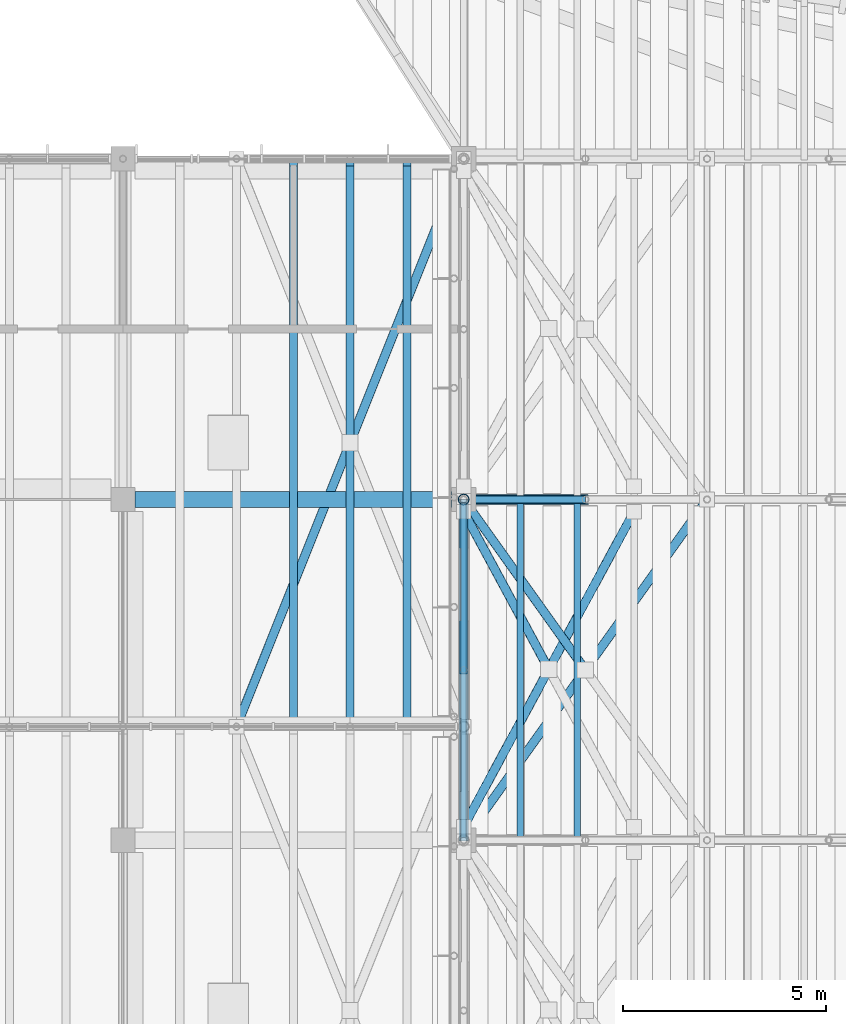
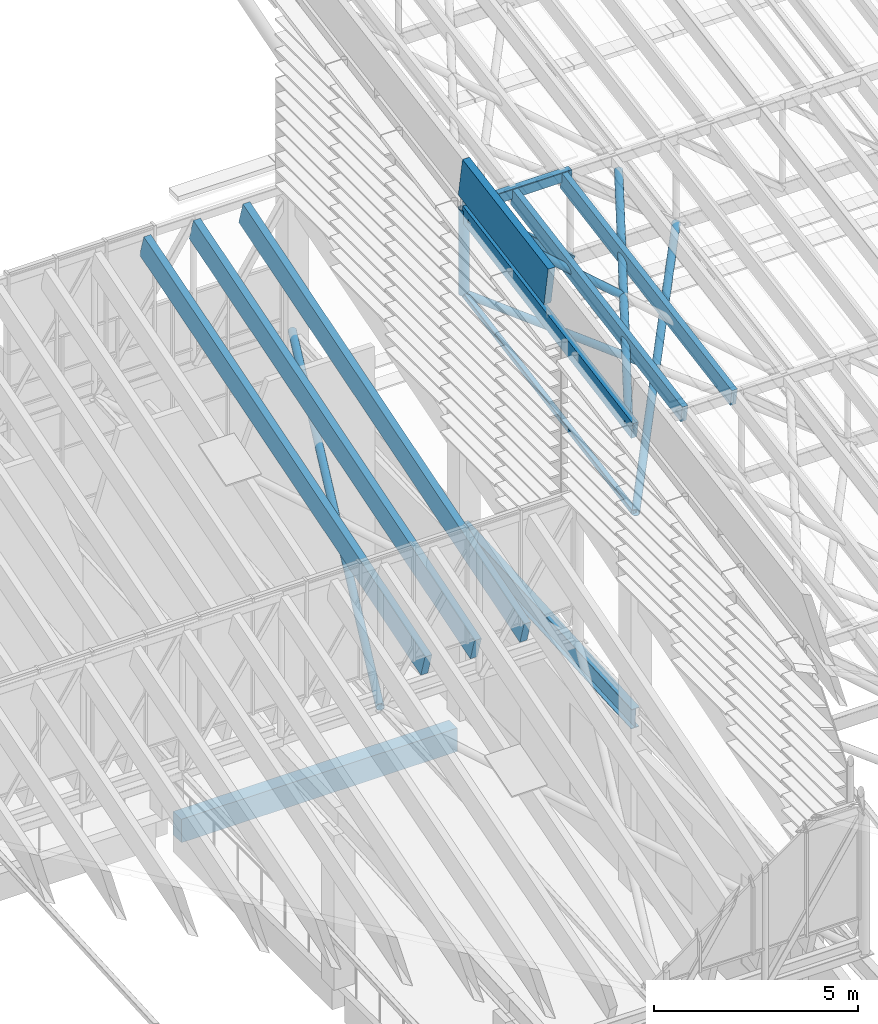
# One storey, part 35 of 91: 15 members, 3 beams.
"""IFC4 building model written with IfcOpenShell, lengths in metres."""

from ifc_helpers import new_model, si_unit, direction, frame, origin, origin_2d, place, context, subcontext, project, spatial, rectangle, hollow_rectangle, hollow_circle, i_section, extrude, material, material_profile, profile_set, type_object, element, save


model = new_model("IFC4")

# Units and contexts
model_context = context("Model", 3, precision=1e-05, world=origin(), true_north=direction((0.0, 1.0)))
body_context = subcontext(model_context, "Body", "Model", "MODEL_VIEW")
ifc_project = project(units=[si_unit("LENGTHUNIT", "METRE"), si_unit("AREAUNIT", "SQUARE_METRE"), si_unit("VOLUMEUNIT", "CUBIC_METRE"), si_unit("PLANEANGLEUNIT", "RADIAN"), si_unit("MASSUNIT", "GRAM", prefix="KILO")], contexts=[model_context])

# Site, building, storey
site_placement = place(None, origin())
site = spatial("IfcSite", under=ifc_project, at=site_placement, CompositionType="ELEMENT")
building_placement = place(site_placement, origin())
building = spatial("IfcBuilding", under=site, at=building_placement, Name="Almond Square Museum", CompositionType="ELEMENT")
storey_placement = place(building_placement, frame((0.0, 0.0, 30.0)))
storey = spatial("IfcBuildingStorey", under=building, at=storey_placement, Name="L05", CompositionType="ELEMENT", Elevation=30.0)

# Beam
ifc_material_1 = material(Name="Structural steel S355", Category="steel")
ifc_material_profile_1 = material_profile(ifc_material_1, i_section(OverallWidth=0.22802734375, OverallDepth=0.60693359375, WebThickness=0.01123046875, FlangeThickness=0.017333984375, at=origin_2d()))
ifc_profile_set_1 = profile_set([ifc_material_profile_1], Name="Structural steel S355")
beam_type_1 = type_object("IfcBeamType", Name="Girder W610x113", PredefinedType="BEAM", material=ifc_profile_set_1)
beam_1_placement = place(storey_placement, frame((106.800048828125, 92.39990234375, 4.916748046875), z_axis=(0.0, 0.998371523297, 0.057046485157), x_axis=(-1.0, 0.0, 0.0)))
element("IfcBeam", 1, at=beam_1_placement, inside=storey, type_object=beam_type_1, Name="Atrium roof girder 4.3", PredefinedType="BEAM", context=body_context, shape_type="SweptSolid", body=[
    extrude(i_section(OverallWidth=0.22802734375, OverallDepth=0.60693359375, WebThickness=0.01123046875, FlangeThickness=0.017333984375, at=origin_2d()), origin(), (0.0, 0.0, 1.0), 8.413818359375),
])

# Members
ifc_material_2 = material(Name="Glulam GL28h", Category="wood")
ifc_material_profile_2 = material_profile(ifc_material_2, rectangle(XDim=0.159912109375, YDim=0.5, at=origin_2d()))
ifc_profile_set_2 = profile_set([ifc_material_profile_2], Name="Glulam GL28h")
member_type_1 = type_object("IfcMemberType", Name="Glulam rafter GL28h 160x500", PredefinedType="RAFTER", material=ifc_profile_set_2)
for number, where, z_axis, x_axis, name in (
    (2, (106.800048828125, 92.429931640625, 13.5), (0.0, 0.985031814679, 0.172372631444), (-1.0, 0.0, 0.0), "Hall rafter 6.1"),
    (3, (108.199951171875, 92.429931640625, 13.5), (0.0, 0.985031814679, 0.172372631444), (-1.0, 0.0, 0.0), "Hall rafter 6.2"),
    (4, (109.60009765625, 92.429931640625, 13.5), (0.0, 0.985031814679, 0.172372631444), (-1.0, 0.0, 0.0), "Hall rafter 6.3"),
):
    element("IfcMember", number, at=place(storey_placement, frame(where, z_axis=z_axis, x_axis=x_axis)), inside=storey, type_object=member_type_1, Name=name, PredefinedType="RAFTER", context=body_context, shape_type="SweptSolid", body=[
        extrude(rectangle(XDim=0.159912109375, YDim=0.5, at=origin_2d()), origin(), (0.0, 0.0, 1.0), 8.4599609375),
    ])
ifc_material_3 = material(Name="Glulam GL28h", Category="wood")
ifc_material_profile_3 = material_profile(ifc_material_3, rectangle(XDim=0.199951171875, YDim=0.699951171875, at=origin_2d()))
ifc_profile_set_3 = profile_set([ifc_material_profile_3], Name="Glulam GL28h")
member_type_2 = type_object("IfcMemberType", Name="Glulam rafter GL28h 200x700", PredefinedType="RAFTER", material=ifc_profile_set_3)
for number, where, z_axis, x_axis, name in (
    (5, (102.60009765625, 95.35791015625, 6.177734375), (0.0, 0.956305482031, 0.29236932985), (-1.0, 0.0, 0.0), "Atrium rafter 3.22"),
    (6, (104.0, 95.35791015625, 6.177734375), (0.0, 0.956305482031, 0.29236932985), (-1.0, 0.0, 0.0), "Atrium rafter 3.23"),
    (7, (105.39990234375, 95.35791015625, 6.177734375), (0.0, 0.956305482031, 0.29236932985), (-1.0, 0.0, 0.0), "Atrium rafter 3.24"),
):
    element("IfcMember", number, at=place(storey_placement, frame(where, z_axis=z_axis, x_axis=x_axis)), inside=storey, type_object=member_type_2, Name=name, PredefinedType="RAFTER", context=body_context, shape_type="SweptSolid", body=[
        extrude(rectangle(XDim=0.199951171875, YDim=0.699951171875, at=origin_2d()), origin(), (0.0, 0.0, 1.0), 14.396240234375),
    ])

# Beams
ifc_material_4 = material(Name="Concrete C40/50", Category="concrete")
ifc_material_profile_4 = material_profile(ifc_material_4, rectangle(XDim=0.39990234375, YDim=0.699951171875, at=origin_2d()))
ifc_profile_set_4 = profile_set([ifc_material_profile_4], Name="Concrete C40/50")
beam_type_2 = type_object("IfcBeamType", Name="RC beam 400 x 700 C40/50", PredefinedType="BEAM", material=ifc_profile_set_4)
beam_2_placement = place(storey_placement, frame((98.699951171875, 100.800048828125, -0.60009765625), z_axis=(1.0, 0.0, 0.0), x_axis=(0.0, 1.0, 0.0)))
element("IfcBeam", 8, at=beam_2_placement, inside=storey, type_object=beam_type_2, Name="Beam M 13-14 L05", PredefinedType="BEAM", context=body_context, shape_type="SweptSolid", body=[
    extrude(rectangle(XDim=0.39990234375, YDim=0.699951171875, at=origin_2d()), origin(), (0.0, 0.0, 1.0), 7.800048828125),
])
ifc_material_5 = material(Name="Glulam GL28h", Category="wood")
ifc_material_profile_5 = material_profile(ifc_material_5, rectangle(XDim=0.199951171875, YDim=1.199951171875, at=origin_2d()))
ifc_profile_set_5 = profile_set([ifc_material_profile_5], Name="Glulam GL28h")
beam_type_3 = type_object("IfcBeamType", Name="Rake fascia beam GL28h 200x1200", PredefinedType="BEAM", material=ifc_profile_set_5)
beam_3_placement = place(storey_placement, frame((106.800048828125, 96.60009765625, 15.284912109375), z_axis=(0.0, 0.985025848584, 0.172406721507), x_axis=(-1.0, 0.0, 0.0)))
element("IfcBeam", 9, at=beam_3_placement, inside=storey, type_object=beam_type_3, Name="Gable rake fascia W 12", PredefinedType="BEAM", context=body_context, shape_type="SweptSolid", body=[
    extrude(rectangle(XDim=0.199951171875, YDim=1.199951171875, at=origin_2d()), origin(), (0.0, 0.0, 1.0), 4.263916015625),
])

# Members
ifc_material_6 = material(Name="Structural steel S355", Category="steel")
ifc_material_profile_6 = material_profile(ifc_material_6, hollow_circle(Radius=0.109619140625, WallThickness=0.010009765625, at=origin_2d()))
ifc_profile_set_6 = profile_set([ifc_material_profile_6], Name="Structural steel S355")
member_type_3 = type_object("IfcMemberType", Name="Roof brace CHS 219.1x10", PredefinedType="BRACE", material=ifc_profile_set_6)
member_1_placement = place(storey_placement, frame((106.800048828125, 92.39990234375, 11.050048828125), z_axis=(0.57542667131, 0.805611388337, 0.14097672477), x_axis=(-0.813738265173, 0.581231482108, 0.0)))
element("IfcMember", 10, at=member_1_placement, inside=storey, type_object=member_type_3, Name="Hall bay 6 plan brace", PredefinedType="BRACE", context=body_context, shape_type="SweptSolid", body=[
    extrude(hollow_circle(Radius=0.109619140625, WallThickness=0.010009765625, at=origin_2d()), origin(), (0.0, 0.0, 1.0), 10.427001953125),
])
member_2_placement = place(storey_placement, frame((106.800048828125, 92.72998046875, 13.552490234375), z_axis=(0.469976234264, 0.869468327134, 0.152141931559), x_axis=(-0.879709326121, 0.475511831121, 0.0)))
element("IfcMember", 11, at=member_2_placement, inside=storey, type_object=member_type_3, Name="Hall roof plane brace 6", PredefinedType="BRACE", context=body_context, shape_type="SweptSolid", body=[
    extrude(hollow_circle(Radius=0.109619140625, WallThickness=0.010009765625, at=origin_2d()), origin(), (0.0, 0.0, 1.0), 8.9365234375),
])
member_3_placement = place(storey_placement, frame((101.199951171875, 95.199951171875, 5.505126953125), z_axis=(0.370874574302, 0.927170267188, 0.052984391838), x_axis=(-0.928474457584, 0.371396259558, 0.0)))
element("IfcMember", 12, at=member_3_placement, inside=storey, type_object=member_type_3, Name="Atrium bay 2 plan brace", PredefinedType="BRACE", context=body_context, shape_type="SweptSolid", body=[
    extrude(hollow_circle(Radius=0.109619140625, WallThickness=0.010009765625, at=origin_2d()), origin(), (0.0, 0.0, 1.0), 15.099609375),
])
member_4_placement = place(storey_placement, frame((109.800048828125, 96.60009765625, 11.784912109375), z_axis=(-0.575435625919, 0.805600510472, 0.141002333141), x_axis=(-0.813730275137, -0.581242668191, 0.0)))
element("IfcMember", 13, at=member_4_placement, inside=storey, type_object=member_type_3, Name="Hall bay 6 plan brace", PredefinedType="BRACE", context=body_context, shape_type="SweptSolid", body=[
    extrude(hollow_circle(Radius=0.109619140625, WallThickness=0.010009765625, at=origin_2d()), origin(), (0.0, 0.0, 1.0), 5.21337890625),
])
member_5_placement = place(storey_placement, frame((108.89990234375, 96.614990234375, 14.232421875), z_axis=(-0.469956901895, 0.869483104273, 0.152117197404), x_axis=(-0.87972088867, -0.47549043948, 0.0)))
element("IfcMember", 14, at=member_5_placement, inside=storey, type_object=member_type_3, Name="Hall roof plane brace 6", PredefinedType="BRACE", context=body_context, shape_type="SweptSolid", body=[
    extrude(hollow_circle(Radius=0.109619140625, WallThickness=0.010009765625, at=origin_2d()), origin(), (0.0, 0.0, 1.0), 4.46826171875),
])
ifc_material_7 = material(Name="Structural steel S355", Category="steel")
ifc_material_profile_7 = material_profile(ifc_material_7, hollow_rectangle(XDim=0.199951171875, YDim=0.300048828125, WallThickness=0.010009765625, InnerFilletRadius=0.014892578125, OuterFilletRadius=0.02490234375, at=origin_2d()))
ifc_profile_set_7 = profile_set([ifc_material_profile_7], Name="Structural steel S355")
member_type_4 = type_object("IfcMemberType", Name="Truss chord RHS 300x200x10", PredefinedType="CHORD", material=ifc_profile_set_7)
member_6_placement = place(storey_placement, frame((106.800048828125, 100.800048828125, 15.068603515625), z_axis=(1.0, 0.0, 0.0), x_axis=(0.0, 1.0, 0.0)))
element("IfcMember", 15, at=member_6_placement, inside=storey, type_object=member_type_4, Name="TR-07 top chord 1", PredefinedType="CHORD", context=body_context, shape_type="SweptSolid", body=[
    extrude(hollow_rectangle(XDim=0.199951171875, YDim=0.300048828125, WallThickness=0.010009765625, InnerFilletRadius=0.014892578125, OuterFilletRadius=0.02490234375, at=origin_2d()), origin(), (0.0, 0.0, 1.0), 3.0),
])
ifc_material_8 = material(Name="Structural steel S355", Category="steel")
ifc_material_profile_8 = material_profile(ifc_material_8, hollow_rectangle(XDim=0.25, YDim=0.25, WallThickness=0.012451171875, InnerFilletRadius=0.02490234375, OuterFilletRadius=0.03759765625, at=origin_2d()))
ifc_profile_set_8 = profile_set([ifc_material_profile_8], Name="Structural steel S355")
member_type_5 = type_object("IfcMemberType", Name="Truss diagonal SHS 250x250x12.5", PredefinedType="BRACE", material=ifc_profile_set_8)
member_7_placement = place(storey_placement, frame((106.800048828125, 100.800048828125, 15.068603515625), z_axis=(0.762116801264, 0.0, -0.647439557975), x_axis=(0.0, 1.0, 0.0)))
element("IfcMember", 16, at=member_7_placement, inside=storey, type_object=member_type_5, Name="TR-07 diagonal 1", PredefinedType="BRACE", context=body_context, shape_type="SweptSolid", body=[
    extrude(hollow_rectangle(XDim=0.25, YDim=0.25, WallThickness=0.012451171875, InnerFilletRadius=0.02490234375, OuterFilletRadius=0.03759765625, at=origin_2d()), origin(), (0.0, 0.0, 1.0), 3.9365234375),
])
ifc_material_9 = material(Name="Structural steel S355", Category="steel")
ifc_material_profile_9 = material_profile(ifc_material_9, hollow_circle(Radius=0.136474609375, WallThickness=0.012451171875, at=origin_2d()))
ifc_profile_set_9 = profile_set([ifc_material_profile_9], Name="Structural steel S355")
member_type_6 = type_object("IfcMemberType", Name="Truss post CHS 273x12.5", PredefinedType="POST", material=ifc_profile_set_9)
member_8_placement = place(storey_placement, frame((106.800048828125, 100.800048828125, 12.52001953125), z_axis=(0.0, 0.0, 1.0), x_axis=(1.0, 0.0, 0.0)))
element("IfcMember", 17, at=member_8_placement, inside=storey, type_object=member_type_6, Name="TR-07 post 1", PredefinedType="POST", context=body_context, shape_type="SweptSolid", body=[
    extrude(hollow_circle(Radius=0.136474609375, WallThickness=0.012451171875, at=origin_2d()), origin(), (0.0, 0.0, 1.0), 2.548583984375),
])
ifc_material_10 = material(Name="Structural steel S355", Category="steel")
ifc_material_profile_10 = material_profile(ifc_material_10, hollow_rectangle(XDim=0.14990234375, YDim=0.14990234375, WallThickness=0.008056640625, InnerFilletRadius=0.011962890625, OuterFilletRadius=0.02001953125, at=origin_2d()))
ifc_profile_set_10 = profile_set([ifc_material_profile_10], Name="Structural steel S355")
member_type_7 = type_object("IfcMemberType", Name="Truss tie SHS 150x150x8", PredefinedType="MEMBER", material=ifc_profile_set_10)
member_9_placement = place(storey_placement, frame((106.800048828125, 92.47509765625, 11.050048828125), z_axis=(0.0, 0.984494486924, 0.175415521596), x_axis=(-1.0, 0.0, 0.0)))
element("IfcMember", 18, at=member_9_placement, inside=storey, type_object=member_type_7, Name="Hall bay 6 tie 1", PredefinedType="MEMBER", context=body_context, shape_type="SweptSolid", body=[
    extrude(hollow_rectangle(XDim=0.14990234375, YDim=0.14990234375, WallThickness=0.008056640625, InnerFilletRadius=0.011962890625, OuterFilletRadius=0.02001953125, at=origin_2d()), origin(), (0.0, 0.0, 1.0), 8.3798828125),
])

save(model, "model.ifc")
